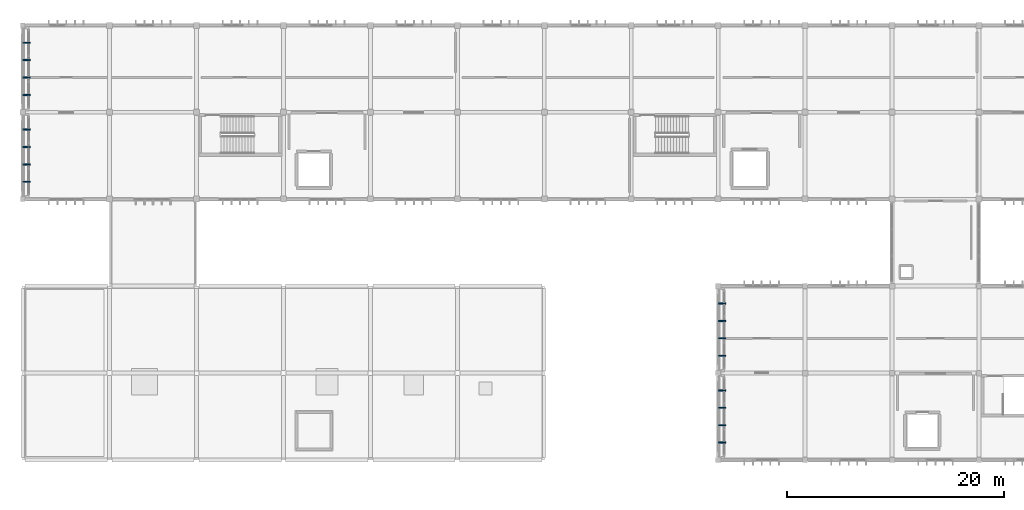
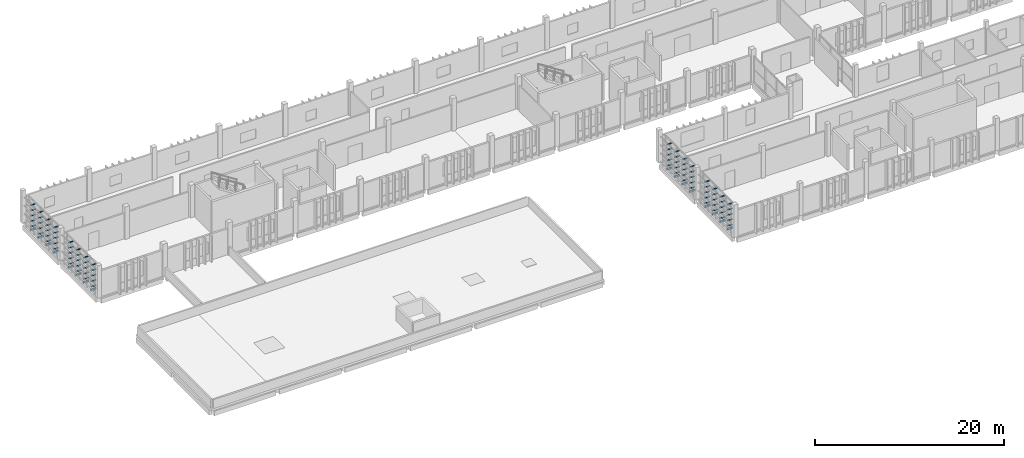
# One storey, part 27 of 32: 96 discrete accessories.
"""IFC4 building model written with IfcOpenShell, lengths in metres."""

from ifc_helpers import new_model, si_unit, direction, frame, origin, origin_2d, place, context, subcontext, project, spatial, rectangle, extrude, material, type_object, element, save


model = new_model("IFC4")

# Units and contexts
model_context = context("Model", 3, precision=1e-05, world=origin(), true_north=direction((0.0, 1.0)))
body_context = subcontext(model_context, "Body", "Model", "MODEL_VIEW")
ifc_project = project(units=[si_unit("LENGTHUNIT", "METRE"), si_unit("AREAUNIT", "SQUARE_METRE"), si_unit("VOLUMEUNIT", "CUBIC_METRE"), si_unit("PLANEANGLEUNIT", "RADIAN"), si_unit("MASSUNIT", "GRAM", prefix="KILO")], contexts=[model_context])

# Site, building, storey
site_placement = place(None, origin())
site = spatial("IfcSite", under=ifc_project, at=site_placement, CompositionType="ELEMENT")
building_placement = place(site_placement, origin())
building = spatial("IfcBuilding", under=site, at=building_placement, Name="Jelvoka-Kovrelna Polytechnic", CompositionType="ELEMENT")
storey_placement = place(building_placement, frame((0.0, 0.0, 26.39990234375)))
storey = spatial("IfcBuildingStorey", under=building, at=storey_placement, Name="L07", CompositionType="ELEMENT", Elevation=26.39990234375)

# Discrete accessories
ifc_material = material(Name="Structural steel S355JR", Category="steel")
discrete_accessory_type = type_object("IfcDiscreteAccessoryType", Name="Bracket_Outrigger_S355", PredefinedType="BRACKET", material=ifc_material)
discrete_accessory_1_placement = place(storey_placement, frame((128.320068359375, 33.60009765625, 0.280029296875), z_axis=(0.0, 0.0, 1.0), x_axis=(1.0, 0.0, 0.0)))
element("IfcDiscreteAccessory", 1, at=discrete_accessory_1_placement, inside=storey, type_object=discrete_accessory_type, Name="L07 screen outrigger tie bracket BRKM-PLT-SCR-0901", PredefinedType="BRACKET", context=body_context, shape_type="SweptSolid", body=[
    extrude(rectangle(XDim=0.639892578125, YDim=0.080078125, at=origin_2d()), origin(), (0.0, 0.0, 1.0), 0.080078125),
])
discrete_accessory_2_placement = place(storey_placement, frame((128.340087890625, 33.60009765625, -0.199951171875), z_axis=(0.0, 0.0, 1.0), x_axis=(1.0, 0.0, 0.0)))
element("IfcDiscreteAccessory", 2, at=discrete_accessory_2_placement, inside=storey, type_object=discrete_accessory_type, Name="L07 screen outrigger tie bracket BRK-PLT-SCR-0901", PredefinedType="BRACKET", context=body_context, shape_type="SweptSolid", body=[
    extrude(rectangle(XDim=0.679931640625, YDim=0.1201171875, at=origin_2d()), origin(), (0.0, 0.0, 1.0), 0.239990234375),
])
for number, where, z_axis, x_axis, name in (
    (3, (128.320068359375, 33.60009765625, 0.97265625), (0.0, 0.0, 1.0), (1.0, 0.0, 0.0), "L07 screen outrigger tie bracket BRKM-PLT-SCR-0902"),
    (4, (128.320068359375, 33.60009765625, 1.6650390625), (0.0, 0.0, 1.0), (1.0, 0.0, 0.0), "L07 screen outrigger tie bracket BRKM-PLT-SCR-0903"),
    (5, (128.320068359375, 33.60009765625, 2.357666015625), (0.0, 0.0, 1.0), (1.0, 0.0, 0.0), "L07 screen outrigger tie bracket BRKM-PLT-SCR-0904"),
    (6, (128.320068359375, 33.60009765625, 3.050048828125), (0.0, 0.0, 1.0), (1.0, 0.0, 0.0), "L07 screen outrigger tie bracket BRKM-PLT-SCR-0905"),
    (7, (128.320068359375, 35.199951171875, 0.280029296875), (0.0, 0.0, 1.0), (1.0, 0.0, 0.0), "L07 screen outrigger tie bracket BRKM-PLT-SCR-0906"),
):
    element("IfcDiscreteAccessory", number, at=place(storey_placement, frame(where, z_axis=z_axis, x_axis=x_axis)), inside=storey, type_object=discrete_accessory_type, Name=name, PredefinedType="BRACKET", context=body_context, shape_type="SweptSolid", body=[
        extrude(rectangle(XDim=0.639892578125, YDim=0.080078125, at=origin_2d()), origin(), (0.0, 0.0, 1.0), 0.080078125),
    ])
discrete_accessory_3_placement = place(storey_placement, frame((128.340087890625, 35.199951171875, -0.199951171875), z_axis=(0.0, 0.0, 1.0), x_axis=(1.0, 0.0, 0.0)))
element("IfcDiscreteAccessory", 8, at=discrete_accessory_3_placement, inside=storey, type_object=discrete_accessory_type, Name="L07 screen outrigger tie bracket BRK-PLT-SCR-0906", PredefinedType="BRACKET", context=body_context, shape_type="SweptSolid", body=[
    extrude(rectangle(XDim=0.679931640625, YDim=0.1201171875, at=origin_2d()), origin(), (0.0, 0.0, 1.0), 0.239990234375),
])
for number, where, z_axis, x_axis, name in (
    (9, (128.320068359375, 35.199951171875, 0.97265625), (0.0, 0.0, 1.0), (1.0, 0.0, 0.0), "L07 screen outrigger tie bracket BRKM-PLT-SCR-0907"),
    (10, (128.320068359375, 35.199951171875, 1.6650390625), (0.0, 0.0, 1.0), (1.0, 0.0, 0.0), "L07 screen outrigger tie bracket BRKM-PLT-SCR-0908"),
    (11, (128.320068359375, 35.199951171875, 2.357666015625), (0.0, 0.0, 1.0), (1.0, 0.0, 0.0), "L07 screen outrigger tie bracket BRKM-PLT-SCR-0909"),
    (12, (128.320068359375, 35.199951171875, 3.050048828125), (0.0, 0.0, 1.0), (1.0, 0.0, 0.0), "L07 screen outrigger tie bracket BRKM-PLT-SCR-0910"),
    (13, (128.320068359375, 36.800048828125, 0.280029296875), (0.0, 0.0, 1.0), (1.0, 0.0, 0.0), "L07 screen outrigger tie bracket BRKM-PLT-SCR-0911"),
):
    element("IfcDiscreteAccessory", number, at=place(storey_placement, frame(where, z_axis=z_axis, x_axis=x_axis)), inside=storey, type_object=discrete_accessory_type, Name=name, PredefinedType="BRACKET", context=body_context, shape_type="SweptSolid", body=[
        extrude(rectangle(XDim=0.639892578125, YDim=0.080078125, at=origin_2d()), origin(), (0.0, 0.0, 1.0), 0.080078125),
    ])
discrete_accessory_4_placement = place(storey_placement, frame((128.340087890625, 36.800048828125, -0.199951171875), z_axis=(0.0, 0.0, 1.0), x_axis=(1.0, 0.0, 0.0)))
element("IfcDiscreteAccessory", 14, at=discrete_accessory_4_placement, inside=storey, type_object=discrete_accessory_type, Name="L07 screen outrigger tie bracket BRK-PLT-SCR-0911", PredefinedType="BRACKET", context=body_context, shape_type="SweptSolid", body=[
    extrude(rectangle(XDim=0.679931640625, YDim=0.1201171875, at=origin_2d()), origin(), (0.0, 0.0, 1.0), 0.239990234375),
])
for number, where, z_axis, x_axis, name in (
    (15, (128.320068359375, 36.800048828125, 0.97265625), (0.0, 0.0, 1.0), (1.0, 0.0, 0.0), "L07 screen outrigger tie bracket BRKM-PLT-SCR-0912"),
    (16, (128.320068359375, 36.800048828125, 1.6650390625), (0.0, 0.0, 1.0), (1.0, 0.0, 0.0), "L07 screen outrigger tie bracket BRKM-PLT-SCR-0913"),
    (17, (128.320068359375, 36.800048828125, 2.357666015625), (0.0, 0.0, 1.0), (1.0, 0.0, 0.0), "L07 screen outrigger tie bracket BRKM-PLT-SCR-0914"),
    (18, (128.320068359375, 36.800048828125, 3.050048828125), (0.0, 0.0, 1.0), (1.0, 0.0, 0.0), "L07 screen outrigger tie bracket BRKM-PLT-SCR-0915"),
    (19, (128.320068359375, 38.39990234375, 0.280029296875), (0.0, 0.0, 1.0), (1.0, 0.0, 0.0), "L07 screen outrigger tie bracket BRKM-PLT-SCR-0916"),
):
    element("IfcDiscreteAccessory", number, at=place(storey_placement, frame(where, z_axis=z_axis, x_axis=x_axis)), inside=storey, type_object=discrete_accessory_type, Name=name, PredefinedType="BRACKET", context=body_context, shape_type="SweptSolid", body=[
        extrude(rectangle(XDim=0.639892578125, YDim=0.080078125, at=origin_2d()), origin(), (0.0, 0.0, 1.0), 0.080078125),
    ])
discrete_accessory_5_placement = place(storey_placement, frame((128.340087890625, 38.39990234375, -0.199951171875), z_axis=(0.0, 0.0, 1.0), x_axis=(1.0, 0.0, 0.0)))
element("IfcDiscreteAccessory", 20, at=discrete_accessory_5_placement, inside=storey, type_object=discrete_accessory_type, Name="L07 screen outrigger tie bracket BRK-PLT-SCR-0916", PredefinedType="BRACKET", context=body_context, shape_type="SweptSolid", body=[
    extrude(rectangle(XDim=0.679931640625, YDim=0.1201171875, at=origin_2d()), origin(), (0.0, 0.0, 1.0), 0.239990234375),
])
for number, where, z_axis, x_axis, name in (
    (21, (128.320068359375, 38.39990234375, 0.97265625), (0.0, 0.0, 1.0), (1.0, 0.0, 0.0), "L07 screen outrigger tie bracket BRKM-PLT-SCR-0917"),
    (22, (128.320068359375, 38.39990234375, 1.6650390625), (0.0, 0.0, 1.0), (1.0, 0.0, 0.0), "L07 screen outrigger tie bracket BRKM-PLT-SCR-0918"),
    (23, (128.320068359375, 38.39990234375, 2.357666015625), (0.0, 0.0, 1.0), (1.0, 0.0, 0.0), "L07 screen outrigger tie bracket BRKM-PLT-SCR-0919"),
    (24, (128.320068359375, 38.39990234375, 3.050048828125), (0.0, 0.0, 1.0), (1.0, 0.0, 0.0), "L07 screen outrigger tie bracket BRKM-PLT-SCR-0920"),
    (25, (128.320068359375, 41.60009765625, 0.280029296875), (0.0, 0.0, 1.0), (1.0, 0.0, 0.0), "L07 screen outrigger tie bracket BRKM-PLT-SCR-0921"),
):
    element("IfcDiscreteAccessory", number, at=place(storey_placement, frame(where, z_axis=z_axis, x_axis=x_axis)), inside=storey, type_object=discrete_accessory_type, Name=name, PredefinedType="BRACKET", context=body_context, shape_type="SweptSolid", body=[
        extrude(rectangle(XDim=0.639892578125, YDim=0.080078125, at=origin_2d()), origin(), (0.0, 0.0, 1.0), 0.080078125),
    ])
discrete_accessory_6_placement = place(storey_placement, frame((128.340087890625, 41.60009765625, -0.199951171875), z_axis=(0.0, 0.0, 1.0), x_axis=(1.0, 0.0, 0.0)))
element("IfcDiscreteAccessory", 26, at=discrete_accessory_6_placement, inside=storey, type_object=discrete_accessory_type, Name="L07 screen outrigger tie bracket BRK-PLT-SCR-0921", PredefinedType="BRACKET", context=body_context, shape_type="SweptSolid", body=[
    extrude(rectangle(XDim=0.679931640625, YDim=0.1201171875, at=origin_2d()), origin(), (0.0, 0.0, 1.0), 0.239990234375),
])
for number, where, z_axis, x_axis, name in (
    (27, (128.320068359375, 41.60009765625, 0.97265625), (0.0, 0.0, 1.0), (1.0, 0.0, 0.0), "L07 screen outrigger tie bracket BRKM-PLT-SCR-0922"),
    (28, (128.320068359375, 41.60009765625, 1.6650390625), (0.0, 0.0, 1.0), (1.0, 0.0, 0.0), "L07 screen outrigger tie bracket BRKM-PLT-SCR-0923"),
    (29, (128.320068359375, 41.60009765625, 2.357666015625), (0.0, 0.0, 1.0), (1.0, 0.0, 0.0), "L07 screen outrigger tie bracket BRKM-PLT-SCR-0924"),
    (30, (128.320068359375, 41.60009765625, 3.050048828125), (0.0, 0.0, 1.0), (1.0, 0.0, 0.0), "L07 screen outrigger tie bracket BRKM-PLT-SCR-0925"),
    (31, (128.320068359375, 43.199951171875, 0.280029296875), (0.0, 0.0, 1.0), (1.0, 0.0, 0.0), "L07 screen outrigger tie bracket BRKM-PLT-SCR-0926"),
):
    element("IfcDiscreteAccessory", number, at=place(storey_placement, frame(where, z_axis=z_axis, x_axis=x_axis)), inside=storey, type_object=discrete_accessory_type, Name=name, PredefinedType="BRACKET", context=body_context, shape_type="SweptSolid", body=[
        extrude(rectangle(XDim=0.639892578125, YDim=0.080078125, at=origin_2d()), origin(), (0.0, 0.0, 1.0), 0.080078125),
    ])
discrete_accessory_7_placement = place(storey_placement, frame((128.340087890625, 43.199951171875, -0.199951171875), z_axis=(0.0, 0.0, 1.0), x_axis=(1.0, 0.0, 0.0)))
element("IfcDiscreteAccessory", 32, at=discrete_accessory_7_placement, inside=storey, type_object=discrete_accessory_type, Name="L07 screen outrigger tie bracket BRK-PLT-SCR-0926", PredefinedType="BRACKET", context=body_context, shape_type="SweptSolid", body=[
    extrude(rectangle(XDim=0.679931640625, YDim=0.1201171875, at=origin_2d()), origin(), (0.0, 0.0, 1.0), 0.239990234375),
])
for number, where, z_axis, x_axis, name in (
    (33, (128.320068359375, 43.199951171875, 0.97265625), (0.0, 0.0, 1.0), (1.0, 0.0, 0.0), "L07 screen outrigger tie bracket BRKM-PLT-SCR-0927"),
    (34, (128.320068359375, 43.199951171875, 1.6650390625), (0.0, 0.0, 1.0), (1.0, 0.0, 0.0), "L07 screen outrigger tie bracket BRKM-PLT-SCR-0928"),
    (35, (128.320068359375, 43.199951171875, 2.357666015625), (0.0, 0.0, 1.0), (1.0, 0.0, 0.0), "L07 screen outrigger tie bracket BRKM-PLT-SCR-0929"),
    (36, (128.320068359375, 43.199951171875, 3.050048828125), (0.0, 0.0, 1.0), (1.0, 0.0, 0.0), "L07 screen outrigger tie bracket BRKM-PLT-SCR-0930"),
    (37, (128.320068359375, 44.800048828125, 0.280029296875), (0.0, 0.0, 1.0), (1.0, 0.0, 0.0), "L07 screen outrigger tie bracket BRKM-PLT-SCR-0931"),
):
    element("IfcDiscreteAccessory", number, at=place(storey_placement, frame(where, z_axis=z_axis, x_axis=x_axis)), inside=storey, type_object=discrete_accessory_type, Name=name, PredefinedType="BRACKET", context=body_context, shape_type="SweptSolid", body=[
        extrude(rectangle(XDim=0.639892578125, YDim=0.080078125, at=origin_2d()), origin(), (0.0, 0.0, 1.0), 0.080078125),
    ])
discrete_accessory_8_placement = place(storey_placement, frame((128.340087890625, 44.800048828125, -0.199951171875), z_axis=(0.0, 0.0, 1.0), x_axis=(1.0, 0.0, 0.0)))
element("IfcDiscreteAccessory", 38, at=discrete_accessory_8_placement, inside=storey, type_object=discrete_accessory_type, Name="L07 screen outrigger tie bracket BRK-PLT-SCR-0931", PredefinedType="BRACKET", context=body_context, shape_type="SweptSolid", body=[
    extrude(rectangle(XDim=0.679931640625, YDim=0.1201171875, at=origin_2d()), origin(), (0.0, 0.0, 1.0), 0.239990234375),
])
for number, where, z_axis, x_axis, name in (
    (39, (128.320068359375, 44.800048828125, 0.97265625), (0.0, 0.0, 1.0), (1.0, 0.0, 0.0), "L07 screen outrigger tie bracket BRKM-PLT-SCR-0932"),
    (40, (128.320068359375, 44.800048828125, 1.6650390625), (0.0, 0.0, 1.0), (1.0, 0.0, 0.0), "L07 screen outrigger tie bracket BRKM-PLT-SCR-0933"),
    (41, (128.320068359375, 44.800048828125, 2.357666015625), (0.0, 0.0, 1.0), (1.0, 0.0, 0.0), "L07 screen outrigger tie bracket BRKM-PLT-SCR-0934"),
    (42, (128.320068359375, 44.800048828125, 3.050048828125), (0.0, 0.0, 1.0), (1.0, 0.0, 0.0), "L07 screen outrigger tie bracket BRKM-PLT-SCR-0935"),
    (43, (128.320068359375, 46.39990234375, 0.280029296875), (0.0, 0.0, 1.0), (1.0, 0.0, 0.0), "L07 screen outrigger tie bracket BRKM-PLT-SCR-0936"),
):
    element("IfcDiscreteAccessory", number, at=place(storey_placement, frame(where, z_axis=z_axis, x_axis=x_axis)), inside=storey, type_object=discrete_accessory_type, Name=name, PredefinedType="BRACKET", context=body_context, shape_type="SweptSolid", body=[
        extrude(rectangle(XDim=0.639892578125, YDim=0.080078125, at=origin_2d()), origin(), (0.0, 0.0, 1.0), 0.080078125),
    ])
discrete_accessory_9_placement = place(storey_placement, frame((128.340087890625, 46.39990234375, -0.199951171875), z_axis=(0.0, 0.0, 1.0), x_axis=(1.0, 0.0, 0.0)))
element("IfcDiscreteAccessory", 44, at=discrete_accessory_9_placement, inside=storey, type_object=discrete_accessory_type, Name="L07 screen outrigger tie bracket BRK-PLT-SCR-0936", PredefinedType="BRACKET", context=body_context, shape_type="SweptSolid", body=[
    extrude(rectangle(XDim=0.679931640625, YDim=0.1201171875, at=origin_2d()), origin(), (0.0, 0.0, 1.0), 0.239990234375),
])
for number, where, z_axis, x_axis, name in (
    (45, (128.320068359375, 46.39990234375, 0.97265625), (0.0, 0.0, 1.0), (1.0, 0.0, 0.0), "L07 screen outrigger tie bracket BRKM-PLT-SCR-0937"),
    (46, (128.320068359375, 46.39990234375, 1.6650390625), (0.0, 0.0, 1.0), (1.0, 0.0, 0.0), "L07 screen outrigger tie bracket BRKM-PLT-SCR-0938"),
    (47, (128.320068359375, 46.39990234375, 2.357666015625), (0.0, 0.0, 1.0), (1.0, 0.0, 0.0), "L07 screen outrigger tie bracket BRKM-PLT-SCR-0939"),
    (48, (128.320068359375, 46.39990234375, 3.050048828125), (0.0, 0.0, 1.0), (1.0, 0.0, 0.0), "L07 screen outrigger tie bracket BRKM-PLT-SCR-0940"),
    (49, (64.320068359375, 57.60009765625, 0.280029296875), (0.0, 0.0, 1.0), (1.0, 0.0, 0.0), "L07 screen outrigger tie bracket BRKM-PLT-SCR-1201"),
):
    element("IfcDiscreteAccessory", number, at=place(storey_placement, frame(where, z_axis=z_axis, x_axis=x_axis)), inside=storey, type_object=discrete_accessory_type, Name=name, PredefinedType="BRACKET", context=body_context, shape_type="SweptSolid", body=[
        extrude(rectangle(XDim=0.639892578125, YDim=0.080078125, at=origin_2d()), origin(), (0.0, 0.0, 1.0), 0.080078125),
    ])
discrete_accessory_10_placement = place(storey_placement, frame((64.340087890625, 57.60009765625, -0.199951171875), z_axis=(0.0, 0.0, 1.0), x_axis=(1.0, 0.0, 0.0)))
element("IfcDiscreteAccessory", 50, at=discrete_accessory_10_placement, inside=storey, type_object=discrete_accessory_type, Name="L07 screen outrigger tie bracket BRK-PLT-SCR-1201", PredefinedType="BRACKET", context=body_context, shape_type="SweptSolid", body=[
    extrude(rectangle(XDim=0.679931640625, YDim=0.1201171875, at=origin_2d()), origin(), (0.0, 0.0, 1.0), 0.239990234375),
])
for number, where, z_axis, x_axis, name in (
    (51, (64.320068359375, 57.60009765625, 0.97265625), (0.0, 0.0, 1.0), (1.0, 0.0, 0.0), "L07 screen outrigger tie bracket BRKM-PLT-SCR-1202"),
    (52, (64.320068359375, 57.60009765625, 1.6650390625), (0.0, 0.0, 1.0), (1.0, 0.0, 0.0), "L07 screen outrigger tie bracket BRKM-PLT-SCR-1203"),
    (53, (64.320068359375, 57.60009765625, 2.357666015625), (0.0, 0.0, 1.0), (1.0, 0.0, 0.0), "L07 screen outrigger tie bracket BRKM-PLT-SCR-1204"),
    (54, (64.320068359375, 57.60009765625, 3.050048828125), (0.0, 0.0, 1.0), (1.0, 0.0, 0.0), "L07 screen outrigger tie bracket BRKM-PLT-SCR-1205"),
    (55, (64.320068359375, 59.199951171875, 0.280029296875), (0.0, 0.0, 1.0), (1.0, 0.0, 0.0), "L07 screen outrigger tie bracket BRKM-PLT-SCR-1206"),
):
    element("IfcDiscreteAccessory", number, at=place(storey_placement, frame(where, z_axis=z_axis, x_axis=x_axis)), inside=storey, type_object=discrete_accessory_type, Name=name, PredefinedType="BRACKET", context=body_context, shape_type="SweptSolid", body=[
        extrude(rectangle(XDim=0.639892578125, YDim=0.080078125, at=origin_2d()), origin(), (0.0, 0.0, 1.0), 0.080078125),
    ])
discrete_accessory_11_placement = place(storey_placement, frame((64.340087890625, 59.199951171875, -0.199951171875), z_axis=(0.0, 0.0, 1.0), x_axis=(1.0, 0.0, 0.0)))
element("IfcDiscreteAccessory", 56, at=discrete_accessory_11_placement, inside=storey, type_object=discrete_accessory_type, Name="L07 screen outrigger tie bracket BRK-PLT-SCR-1206", PredefinedType="BRACKET", context=body_context, shape_type="SweptSolid", body=[
    extrude(rectangle(XDim=0.679931640625, YDim=0.1201171875, at=origin_2d()), origin(), (0.0, 0.0, 1.0), 0.239990234375),
])
for number, where, z_axis, x_axis, name in (
    (57, (64.320068359375, 59.199951171875, 0.97265625), (0.0, 0.0, 1.0), (1.0, 0.0, 0.0), "L07 screen outrigger tie bracket BRKM-PLT-SCR-1207"),
    (58, (64.320068359375, 59.199951171875, 1.6650390625), (0.0, 0.0, 1.0), (1.0, 0.0, 0.0), "L07 screen outrigger tie bracket BRKM-PLT-SCR-1208"),
    (59, (64.320068359375, 59.199951171875, 2.357666015625), (0.0, 0.0, 1.0), (1.0, 0.0, 0.0), "L07 screen outrigger tie bracket BRKM-PLT-SCR-1209"),
    (60, (64.320068359375, 59.199951171875, 3.050048828125), (0.0, 0.0, 1.0), (1.0, 0.0, 0.0), "L07 screen outrigger tie bracket BRKM-PLT-SCR-1210"),
    (61, (64.320068359375, 60.800048828125, 0.280029296875), (0.0, 0.0, 1.0), (1.0, 0.0, 0.0), "L07 screen outrigger tie bracket BRKM-PLT-SCR-1211"),
):
    element("IfcDiscreteAccessory", number, at=place(storey_placement, frame(where, z_axis=z_axis, x_axis=x_axis)), inside=storey, type_object=discrete_accessory_type, Name=name, PredefinedType="BRACKET", context=body_context, shape_type="SweptSolid", body=[
        extrude(rectangle(XDim=0.639892578125, YDim=0.080078125, at=origin_2d()), origin(), (0.0, 0.0, 1.0), 0.080078125),
    ])
discrete_accessory_12_placement = place(storey_placement, frame((64.340087890625, 60.800048828125, -0.199951171875), z_axis=(0.0, 0.0, 1.0), x_axis=(1.0, 0.0, 0.0)))
element("IfcDiscreteAccessory", 62, at=discrete_accessory_12_placement, inside=storey, type_object=discrete_accessory_type, Name="L07 screen outrigger tie bracket BRK-PLT-SCR-1211", PredefinedType="BRACKET", context=body_context, shape_type="SweptSolid", body=[
    extrude(rectangle(XDim=0.679931640625, YDim=0.1201171875, at=origin_2d()), origin(), (0.0, 0.0, 1.0), 0.239990234375),
])
for number, where, z_axis, x_axis, name in (
    (63, (64.320068359375, 60.800048828125, 0.97265625), (0.0, 0.0, 1.0), (1.0, 0.0, 0.0), "L07 screen outrigger tie bracket BRKM-PLT-SCR-1212"),
    (64, (64.320068359375, 60.800048828125, 1.6650390625), (0.0, 0.0, 1.0), (1.0, 0.0, 0.0), "L07 screen outrigger tie bracket BRKM-PLT-SCR-1213"),
    (65, (64.320068359375, 60.800048828125, 2.357666015625), (0.0, 0.0, 1.0), (1.0, 0.0, 0.0), "L07 screen outrigger tie bracket BRKM-PLT-SCR-1214"),
    (66, (64.320068359375, 60.800048828125, 3.050048828125), (0.0, 0.0, 1.0), (1.0, 0.0, 0.0), "L07 screen outrigger tie bracket BRKM-PLT-SCR-1215"),
    (67, (64.320068359375, 62.39990234375, 0.280029296875), (0.0, 0.0, 1.0), (1.0, 0.0, 0.0), "L07 screen outrigger tie bracket BRKM-PLT-SCR-1216"),
):
    element("IfcDiscreteAccessory", number, at=place(storey_placement, frame(where, z_axis=z_axis, x_axis=x_axis)), inside=storey, type_object=discrete_accessory_type, Name=name, PredefinedType="BRACKET", context=body_context, shape_type="SweptSolid", body=[
        extrude(rectangle(XDim=0.639892578125, YDim=0.080078125, at=origin_2d()), origin(), (0.0, 0.0, 1.0), 0.080078125),
    ])
discrete_accessory_13_placement = place(storey_placement, frame((64.340087890625, 62.39990234375, -0.199951171875), z_axis=(0.0, 0.0, 1.0), x_axis=(1.0, 0.0, 0.0)))
element("IfcDiscreteAccessory", 68, at=discrete_accessory_13_placement, inside=storey, type_object=discrete_accessory_type, Name="L07 screen outrigger tie bracket BRK-PLT-SCR-1216", PredefinedType="BRACKET", context=body_context, shape_type="SweptSolid", body=[
    extrude(rectangle(XDim=0.679931640625, YDim=0.1201171875, at=origin_2d()), origin(), (0.0, 0.0, 1.0), 0.239990234375),
])
for number, where, z_axis, x_axis, name in (
    (69, (64.320068359375, 62.39990234375, 0.97265625), (0.0, 0.0, 1.0), (1.0, 0.0, 0.0), "L07 screen outrigger tie bracket BRKM-PLT-SCR-1217"),
    (70, (64.320068359375, 62.39990234375, 1.6650390625), (0.0, 0.0, 1.0), (1.0, 0.0, 0.0), "L07 screen outrigger tie bracket BRKM-PLT-SCR-1218"),
    (71, (64.320068359375, 62.39990234375, 2.357666015625), (0.0, 0.0, 1.0), (1.0, 0.0, 0.0), "L07 screen outrigger tie bracket BRKM-PLT-SCR-1219"),
    (72, (64.320068359375, 62.39990234375, 3.050048828125), (0.0, 0.0, 1.0), (1.0, 0.0, 0.0), "L07 screen outrigger tie bracket BRKM-PLT-SCR-1220"),
    (73, (64.320068359375, 65.60009765625, 0.280029296875), (0.0, 0.0, 1.0), (1.0, 0.0, 0.0), "L07 screen outrigger tie bracket BRKM-PLT-SCR-1221"),
):
    element("IfcDiscreteAccessory", number, at=place(storey_placement, frame(where, z_axis=z_axis, x_axis=x_axis)), inside=storey, type_object=discrete_accessory_type, Name=name, PredefinedType="BRACKET", context=body_context, shape_type="SweptSolid", body=[
        extrude(rectangle(XDim=0.639892578125, YDim=0.080078125, at=origin_2d()), origin(), (0.0, 0.0, 1.0), 0.080078125),
    ])
discrete_accessory_14_placement = place(storey_placement, frame((64.340087890625, 65.60009765625, -0.199951171875), z_axis=(0.0, 0.0, 1.0), x_axis=(1.0, 0.0, 0.0)))
element("IfcDiscreteAccessory", 74, at=discrete_accessory_14_placement, inside=storey, type_object=discrete_accessory_type, Name="L07 screen outrigger tie bracket BRK-PLT-SCR-1221", PredefinedType="BRACKET", context=body_context, shape_type="SweptSolid", body=[
    extrude(rectangle(XDim=0.679931640625, YDim=0.1201171875, at=origin_2d()), origin(), (0.0, 0.0, 1.0), 0.239990234375),
])
for number, where, z_axis, x_axis, name in (
    (75, (64.320068359375, 65.60009765625, 0.97265625), (0.0, 0.0, 1.0), (1.0, 0.0, 0.0), "L07 screen outrigger tie bracket BRKM-PLT-SCR-1222"),
    (76, (64.320068359375, 65.60009765625, 1.6650390625), (0.0, 0.0, 1.0), (1.0, 0.0, 0.0), "L07 screen outrigger tie bracket BRKM-PLT-SCR-1223"),
    (77, (64.320068359375, 65.60009765625, 2.357666015625), (0.0, 0.0, 1.0), (1.0, 0.0, 0.0), "L07 screen outrigger tie bracket BRKM-PLT-SCR-1224"),
    (78, (64.320068359375, 65.60009765625, 3.050048828125), (0.0, 0.0, 1.0), (1.0, 0.0, 0.0), "L07 screen outrigger tie bracket BRKM-PLT-SCR-1225"),
    (79, (64.320068359375, 67.199951171875, 0.280029296875), (0.0, 0.0, 1.0), (1.0, 0.0, 0.0), "L07 screen outrigger tie bracket BRKM-PLT-SCR-1226"),
):
    element("IfcDiscreteAccessory", number, at=place(storey_placement, frame(where, z_axis=z_axis, x_axis=x_axis)), inside=storey, type_object=discrete_accessory_type, Name=name, PredefinedType="BRACKET", context=body_context, shape_type="SweptSolid", body=[
        extrude(rectangle(XDim=0.639892578125, YDim=0.080078125, at=origin_2d()), origin(), (0.0, 0.0, 1.0), 0.080078125),
    ])
discrete_accessory_15_placement = place(storey_placement, frame((64.340087890625, 67.199951171875, -0.199951171875), z_axis=(0.0, 0.0, 1.0), x_axis=(1.0, 0.0, 0.0)))
element("IfcDiscreteAccessory", 80, at=discrete_accessory_15_placement, inside=storey, type_object=discrete_accessory_type, Name="L07 screen outrigger tie bracket BRK-PLT-SCR-1226", PredefinedType="BRACKET", context=body_context, shape_type="SweptSolid", body=[
    extrude(rectangle(XDim=0.679931640625, YDim=0.1201171875, at=origin_2d()), origin(), (0.0, 0.0, 1.0), 0.239990234375),
])
for number, where, z_axis, x_axis, name in (
    (81, (64.320068359375, 67.199951171875, 0.97265625), (0.0, 0.0, 1.0), (1.0, 0.0, 0.0), "L07 screen outrigger tie bracket BRKM-PLT-SCR-1227"),
    (82, (64.320068359375, 67.199951171875, 1.6650390625), (0.0, 0.0, 1.0), (1.0, 0.0, 0.0), "L07 screen outrigger tie bracket BRKM-PLT-SCR-1228"),
    (83, (64.320068359375, 67.199951171875, 2.357666015625), (0.0, 0.0, 1.0), (1.0, 0.0, 0.0), "L07 screen outrigger tie bracket BRKM-PLT-SCR-1229"),
    (84, (64.320068359375, 67.199951171875, 3.050048828125), (0.0, 0.0, 1.0), (1.0, 0.0, 0.0), "L07 screen outrigger tie bracket BRKM-PLT-SCR-1230"),
    (85, (64.320068359375, 68.800048828125, 0.280029296875), (0.0, 0.0, 1.0), (1.0, 0.0, 0.0), "L07 screen outrigger tie bracket BRKM-PLT-SCR-1231"),
):
    element("IfcDiscreteAccessory", number, at=place(storey_placement, frame(where, z_axis=z_axis, x_axis=x_axis)), inside=storey, type_object=discrete_accessory_type, Name=name, PredefinedType="BRACKET", context=body_context, shape_type="SweptSolid", body=[
        extrude(rectangle(XDim=0.639892578125, YDim=0.080078125, at=origin_2d()), origin(), (0.0, 0.0, 1.0), 0.080078125),
    ])
discrete_accessory_16_placement = place(storey_placement, frame((64.340087890625, 68.800048828125, -0.199951171875), z_axis=(0.0, 0.0, 1.0), x_axis=(1.0, 0.0, 0.0)))
element("IfcDiscreteAccessory", 86, at=discrete_accessory_16_placement, inside=storey, type_object=discrete_accessory_type, Name="L07 screen outrigger tie bracket BRK-PLT-SCR-1231", PredefinedType="BRACKET", context=body_context, shape_type="SweptSolid", body=[
    extrude(rectangle(XDim=0.679931640625, YDim=0.1201171875, at=origin_2d()), origin(), (0.0, 0.0, 1.0), 0.239990234375),
])
for number, where, z_axis, x_axis, name in (
    (87, (64.320068359375, 68.800048828125, 0.97265625), (0.0, 0.0, 1.0), (1.0, 0.0, 0.0), "L07 screen outrigger tie bracket BRKM-PLT-SCR-1232"),
    (88, (64.320068359375, 68.800048828125, 1.6650390625), (0.0, 0.0, 1.0), (1.0, 0.0, 0.0), "L07 screen outrigger tie bracket BRKM-PLT-SCR-1233"),
    (89, (64.320068359375, 68.800048828125, 2.357666015625), (0.0, 0.0, 1.0), (1.0, 0.0, 0.0), "L07 screen outrigger tie bracket BRKM-PLT-SCR-1234"),
    (90, (64.320068359375, 68.800048828125, 3.050048828125), (0.0, 0.0, 1.0), (1.0, 0.0, 0.0), "L07 screen outrigger tie bracket BRKM-PLT-SCR-1235"),
    (91, (64.320068359375, 70.39990234375, 0.280029296875), (0.0, 0.0, 1.0), (1.0, 0.0, 0.0), "L07 screen outrigger tie bracket BRKM-PLT-SCR-1236"),
):
    element("IfcDiscreteAccessory", number, at=place(storey_placement, frame(where, z_axis=z_axis, x_axis=x_axis)), inside=storey, type_object=discrete_accessory_type, Name=name, PredefinedType="BRACKET", context=body_context, shape_type="SweptSolid", body=[
        extrude(rectangle(XDim=0.639892578125, YDim=0.080078125, at=origin_2d()), origin(), (0.0, 0.0, 1.0), 0.080078125),
    ])
discrete_accessory_17_placement = place(storey_placement, frame((64.340087890625, 70.39990234375, -0.199951171875), z_axis=(0.0, 0.0, 1.0), x_axis=(1.0, 0.0, 0.0)))
element("IfcDiscreteAccessory", 92, at=discrete_accessory_17_placement, inside=storey, type_object=discrete_accessory_type, Name="L07 screen outrigger tie bracket BRK-PLT-SCR-1236", PredefinedType="BRACKET", context=body_context, shape_type="SweptSolid", body=[
    extrude(rectangle(XDim=0.679931640625, YDim=0.1201171875, at=origin_2d()), origin(), (0.0, 0.0, 1.0), 0.239990234375),
])
for number, where, z_axis, x_axis, name in (
    (93, (64.320068359375, 70.39990234375, 0.97265625), (0.0, 0.0, 1.0), (1.0, 0.0, 0.0), "L07 screen outrigger tie bracket BRKM-PLT-SCR-1237"),
    (94, (64.320068359375, 70.39990234375, 1.6650390625), (0.0, 0.0, 1.0), (1.0, 0.0, 0.0), "L07 screen outrigger tie bracket BRKM-PLT-SCR-1238"),
    (95, (64.320068359375, 70.39990234375, 2.357666015625), (0.0, 0.0, 1.0), (1.0, 0.0, 0.0), "L07 screen outrigger tie bracket BRKM-PLT-SCR-1239"),
    (96, (64.320068359375, 70.39990234375, 3.050048828125), (0.0, 0.0, 1.0), (1.0, 0.0, 0.0), "L07 screen outrigger tie bracket BRKM-PLT-SCR-1240"),
):
    element("IfcDiscreteAccessory", number, at=place(storey_placement, frame(where, z_axis=z_axis, x_axis=x_axis)), inside=storey, type_object=discrete_accessory_type, Name=name, PredefinedType="BRACKET", context=body_context, shape_type="SweptSolid", body=[
        extrude(rectangle(XDim=0.639892578125, YDim=0.080078125, at=origin_2d()), origin(), (0.0, 0.0, 1.0), 0.080078125),
    ])

save(model, "model.ifc")
